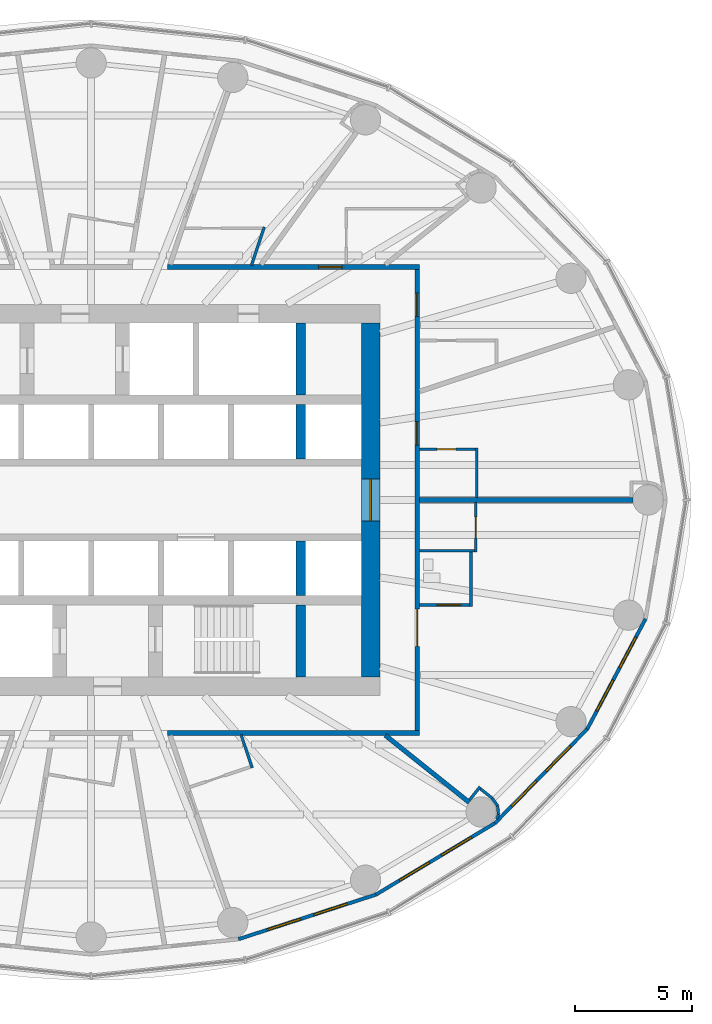
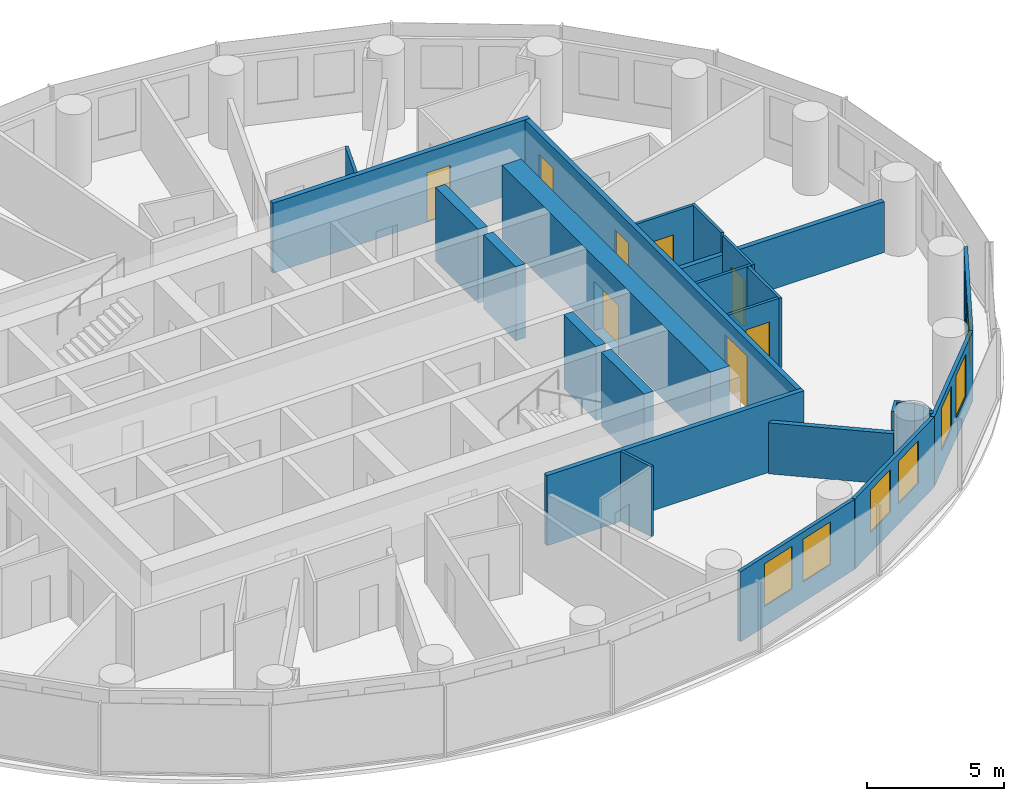
# One storey, part 9 of 13: 27 walls, 8 doors, 8 windows, 16 openings.
"""IFC4 building model written with IfcOpenShell, lengths in metres."""

from ifc_helpers import new_model, si_unit, direction, frame, frame_2d, origin, place, context, subcontext, project, spatial, rectangle, extrude, material, layer, layer_set, type_object, element, fill, save


model = new_model("IFC4")

# Units and contexts
model_context = context("Model", 3, precision=1e-05, world=origin(), true_north=direction((0.0, 1.0)))
body_context = subcontext(model_context, "Body", "Model", "MODEL_VIEW")
ifc_project = project(units=[si_unit("LENGTHUNIT", "METRE"), si_unit("AREAUNIT", "SQUARE_METRE"), si_unit("VOLUMEUNIT", "CUBIC_METRE"), si_unit("PLANEANGLEUNIT", "RADIAN"), si_unit("MASSUNIT", "GRAM", prefix="KILO")], contexts=[model_context])

# Site, building, storey
site_placement = place(None, origin())
site = spatial("IfcSite", under=ifc_project, at=site_placement, CompositionType="ELEMENT")
building_placement = place(site_placement, origin())
building = spatial("IfcBuilding", under=site, at=building_placement, Name="Hankou Lantern Tower", CompositionType="ELEMENT")
storey_placement = place(building_placement, frame((0.0, 0.0, 105.60009765625)))
storey = spatial("IfcBuildingStorey", under=building, at=storey_placement, Name="L26", CompositionType="ELEMENT", Elevation=105.60009765625)

# Wall, opening, door
ifc_material_1 = material(Name="Concrete C60", Category="concrete")
ifc_layer_1 = layer(ifc_material_1, 0.800048828125)
ifc_layer_set_1 = layer_set([ifc_layer_1], Name="Concrete C60")
wall_type_1 = type_object("IfcWallType", Name="CW2 CORE WALL 800", PredefinedType="SHEAR", material=ifc_layer_set_1)
wall_1_placement = place(storey_placement, frame((12.0, -7.60009765625, 0.0), z_axis=(0.0, 0.0, 1.0), x_axis=(0.0, 1.0, 0.0)))
wall_1 = element("IfcWall", 1, at=wall_1_placement, inside=storey, type_object=wall_type_1, Name="Core wall east L26", PredefinedType="SHEAR", context=body_context, shape_type="SweptSolid", body=[
    extrude(rectangle(XDim=15.2001953125, YDim=0.800048828125, at=frame_2d((7.60009765625, 0.0))), origin(), (0.0, 0.0, 1.0), 3.2998046875),
])
opening_1_placement = place(wall_1_placement, frame((6.699951171875, 0.0, 0.0)))
opening_1 = element("IfcOpeningElement", 2, at=opening_1_placement, cuts=wall_1, Name="Opening D6", PredefinedType="OPENING", context=body_context, shape_type="SweptSolid", body=[
    extrude(rectangle(XDim=1.800048828125, YDim=2.199951171875, at=frame_2d((0.89990234375, 1.10009765625))), frame((0.0, 0.409912109375, 0.0), z_axis=(0.0, -1.0, 0.0), x_axis=(1.0, 0.0, 0.0)), (0.0, 0.0, 1.0), 0.820068359375),
])
ifc_material_2 = material(Name="Steel door leaf", Category="steel")
door_type_1 = type_object("IfcDoorType", Name="D6 LIFT LOBBY DOOR 1800X2200", OperationType="DOUBLE_DOOR_DOUBLE_SWING", PredefinedType="DOOR", material=ifc_material_2)
door_1_placement = place(opening_1_placement, origin())
door_1 = element("IfcDoor", 3, at=door_1_placement, inside=storey, type_object=door_type_1, Name="Lift lobby east door", OperationType="DOUBLE_DOOR_DOUBLE_SWING", OverallHeight=2.199951171875, OverallWidth=1.800048828125, PredefinedType="DOOR", context=body_context, shape_type="SweptSolid", body=[
    extrude(rectangle(XDim=1.800048828125, YDim=2.199951171875, at=frame_2d((0.89990234375, 1.10009765625))), frame((0.0, 0.02490234375, 0.0), z_axis=(0.0, -1.0, 0.0), x_axis=(1.0, 0.0, 0.0)), (0.0, 0.0, 1.0), 0.050048828125),
])
fill(opening_1, door_1)

# Walls
ifc_material_3 = material(Name="Concrete C60", Category="concrete")
ifc_layer_2 = layer(ifc_material_3, 0.39990234375)
ifc_layer_set_2 = layer_set([ifc_layer_2], Name="Concrete C60")
wall_type_2 = type_object("IfcWallType", Name="CW4 CORE CROSS WALL 400", PredefinedType="SHEAR", material=ifc_layer_set_2)
wall_2_placement = place(storey_placement, frame((9.0, 4.5, 0.0), z_axis=(0.0, 0.0, 1.0), x_axis=(0.0, 1.0, 0.0)))
element("IfcWall", 4, at=wall_2_placement, inside=storey, type_object=wall_type_2, Name="Core strip wall L26", PredefinedType="SHEAR", context=body_context, shape_type="SweptSolid", body=[
    extrude(rectangle(XDim=3.10009765625, YDim=0.39990234375, at=frame_2d((1.550048828125, 0.0))), origin(), (0.0, 0.0, 1.0), 3.2998046875),
])
for number, where, z_axis, x_axis, name in (
    (5, (9.0, 1.75, 0.0), (0.0, 0.0, 1.0), (0.0, 1.0, 0.0), "Core strip wall L26"),
    (6, (9.0, -4.10009765625, 0.0), (0.0, 0.0, 1.0), (0.0, 1.0, 0.0), "Core strip wall L26"),
):
    element("IfcWall", number, at=place(storey_placement, frame(where, z_axis=z_axis, x_axis=x_axis)), inside=storey, type_object=wall_type_2, Name=name, PredefinedType="SHEAR", context=body_context, shape_type="SweptSolid", body=[
        extrude(rectangle(XDim=2.35009765625, YDim=0.39990234375, at=frame_2d((1.175048828125, 0.0))), origin(), (0.0, 0.0, 1.0), 3.2998046875),
    ])
wall_3_placement = place(storey_placement, frame((9.0, -7.60009765625, 0.0), z_axis=(0.0, 0.0, 1.0), x_axis=(0.0, 1.0, 0.0)))
element("IfcWall", 7, at=wall_3_placement, inside=storey, type_object=wall_type_2, Name="Core strip wall L26", PredefinedType="SHEAR", context=body_context, shape_type="SweptSolid", body=[
    extrude(rectangle(XDim=3.10009765625, YDim=0.39990234375, at=frame_2d((1.550048828125, 0.0))), origin(), (0.0, 0.0, 1.0), 3.2998046875),
])

# Wall, openings, windows
ifc_material_4 = material(Name="Aluminium spandrel panel on steel studs", Category="steel")
ifc_layer_3 = layer(ifc_material_4, 0.14990234375)
ifc_layer_set_3 = layer_set([ifc_layer_3], Name="Aluminium spandrel panel on steel studs")
wall_type_3 = type_object("IfcWallType", Name="EW1 INNER SKIN WALL 150", PredefinedType="ELEMENTEDWALL", material=ifc_layer_set_3)
wall_4_placement = place(storey_placement, frame((6.3134765625, -18.849609375, 0.0), z_axis=(0.0, 0.0, 1.0), x_axis=(0.951272691506, 0.308350881944, 0.0)))
wall_4 = element("IfcWall", 8, at=wall_4_placement, inside=storey, type_object=wall_type_3, Name="Inner skin R20-R21 L26", PredefinedType="ELEMENTEDWALL", context=body_context, shape_type="SweptSolid", body=[
    extrude(rectangle(XDim=6.210693359375, YDim=0.14990234375, at=frame_2d((3.10546875, 0.0))), origin(), (0.0, 0.0, 1.0), 3.119873046875),
])
opening_2_placement = place(wall_4_placement, frame((1.305419921875, 0.0, 0.89990234375)))
opening_2 = element("IfcOpeningElement", 9, at=opening_2_placement, cuts=wall_4, Name="Opening W2", PredefinedType="OPENING", context=body_context, shape_type="SweptSolid", body=[
    extrude(rectangle(XDim=1.5, YDim=1.89990234375, at=frame_2d((0.75, 0.949951171875))), frame((0.0, 0.0849609375, 0.0), z_axis=(0.0, -1.0, 0.0), x_axis=(1.0, 0.0, 0.0)), (0.0, 0.0, 1.0), 0.169921875),
])
opening_3_placement = place(wall_4_placement, frame((3.4052734375, 0.0, 0.89990234375)))
opening_3 = element("IfcOpeningElement", 10, at=opening_3_placement, cuts=wall_4, Name="Opening W2", PredefinedType="OPENING", context=body_context, shape_type="SweptSolid", body=[
    extrude(rectangle(XDim=1.5, YDim=1.89990234375, at=frame_2d((0.75, 0.949951171875))), frame((0.0, 0.0849609375, 0.0), z_axis=(0.0, -1.0, 0.0), x_axis=(1.0, 0.0, 0.0)), (0.0, 0.0, 1.0), 0.169921875),
])
ifc_material_5 = material(Name="Aluminium framed double glazed window", Category="aluminium")
window_type = type_object("IfcWindowType", Name="W2 GUEST ROOM WINDOW 1500X1900", PartitioningType="DOUBLE_PANEL_VERTICAL", PredefinedType="WINDOW", material=ifc_material_5)
window_1_placement = place(opening_2_placement, origin())
window_1 = element("IfcWindow", 11, at=window_1_placement, inside=storey, type_object=window_type, Name="Window R20.1 L26", OverallHeight=1.89990234375, OverallWidth=1.5, PartitioningType="SINGLE_PANEL", PredefinedType="WINDOW", context=body_context, shape_type="SweptSolid", body=[
    extrude(rectangle(XDim=1.5, YDim=1.89990234375, at=frame_2d((0.75, 0.949951171875))), frame((0.0, 0.030029296875, 0.0), z_axis=(0.0, -1.0, 0.0), x_axis=(1.0, 0.0, 0.0)), (0.0, 0.0, 1.0), 0.06005859375),
])
fill(opening_2, window_1)
window_2_placement = place(opening_3_placement, origin())
window_2 = element("IfcWindow", 12, at=window_2_placement, inside=storey, type_object=window_type, Name="Window R20.2 L26", OverallHeight=1.89990234375, OverallWidth=1.5, PartitioningType="SINGLE_PANEL", PredefinedType="WINDOW", context=body_context, shape_type="SweptSolid", body=[
    extrude(rectangle(XDim=1.5, YDim=1.89990234375, at=frame_2d((0.75, 0.949951171875))), frame((0.0, 0.030029296875, 0.0), z_axis=(0.0, -1.0, 0.0), x_axis=(1.0, 0.0, 0.0)), (0.0, 0.0, 1.0), 0.06005859375),
])
fill(opening_3, window_2)

wall_5_placement = place(storey_placement, frame((12.221435546875, -16.9345703125, 0.0), z_axis=(0.0, 0.0, 1.0), x_axis=(0.857308573723, 0.514802884044, 0.0)))
wall_5 = element("IfcWall", 13, at=wall_5_placement, inside=storey, type_object=wall_type_3, Name="Inner skin R21-R22 L26", PredefinedType="ELEMENTEDWALL", context=body_context, shape_type="SweptSolid", body=[
    extrude(rectangle(XDim=5.961181640625, YDim=0.14990234375, at=frame_2d((2.98046875, 0.0))), origin(), (0.0, 0.0, 1.0), 3.119873046875),
])
opening_4_placement = place(wall_5_placement, frame((1.1806640625, 0.0, 0.89990234375)))
opening_4 = element("IfcOpeningElement", 14, at=opening_4_placement, cuts=wall_5, Name="Opening W2", PredefinedType="OPENING", context=body_context, shape_type="SweptSolid", body=[
    extrude(rectangle(XDim=1.5, YDim=1.89990234375, at=frame_2d((0.75, 0.949951171875))), frame((0.0, 0.0849609375, 0.0), z_axis=(0.0, -1.0, 0.0), x_axis=(1.0, 0.0, 0.0)), (0.0, 0.0, 1.0), 0.169921875),
])
opening_5_placement = place(wall_5_placement, frame((3.280517578125, 0.0, 0.89990234375)))
opening_5 = element("IfcOpeningElement", 15, at=opening_5_placement, cuts=wall_5, Name="Opening W2", PredefinedType="OPENING", context=body_context, shape_type="SweptSolid", body=[
    extrude(rectangle(XDim=1.5, YDim=1.89990234375, at=frame_2d((0.75, 0.949951171875))), frame((0.0, 0.0849609375, 0.0), z_axis=(0.0, -1.0, 0.0), x_axis=(1.0, 0.0, 0.0)), (0.0, 0.0, 1.0), 0.169921875),
])
window_3_placement = place(opening_4_placement, origin())
window_3 = element("IfcWindow", 16, at=window_3_placement, inside=storey, type_object=window_type, Name="Window R21.1 L26", OverallHeight=1.89990234375, OverallWidth=1.5, PartitioningType="SINGLE_PANEL", PredefinedType="WINDOW", context=body_context, shape_type="SweptSolid", body=[
    extrude(rectangle(XDim=1.5, YDim=1.89990234375, at=frame_2d((0.75, 0.949951171875))), frame((0.0, 0.030029296875, 0.0), z_axis=(0.0, -1.0, 0.0), x_axis=(1.0, 0.0, 0.0)), (0.0, 0.0, 1.0), 0.06005859375),
])
fill(opening_4, window_3)
window_4_placement = place(opening_5_placement, origin())
window_4 = element("IfcWindow", 17, at=window_4_placement, inside=storey, type_object=window_type, Name="Window R21.2 L26", OverallHeight=1.89990234375, OverallWidth=1.5, PartitioningType="SINGLE_PANEL", PredefinedType="WINDOW", context=body_context, shape_type="SweptSolid", body=[
    extrude(rectangle(XDim=1.5, YDim=1.89990234375, at=frame_2d((0.75, 0.949951171875))), frame((0.0, 0.030029296875, 0.0), z_axis=(0.0, -1.0, 0.0), x_axis=(1.0, 0.0, 0.0)), (0.0, 0.0, 1.0), 0.06005859375),
])
fill(opening_5, window_4)

wall_6_placement = place(storey_placement, frame((17.33203125, -13.86572265625, 0.0), z_axis=(0.0, 0.0, 1.0), x_axis=(0.700136650834, 0.714008872605, 0.0)))
wall_6 = element("IfcWall", 18, at=wall_6_placement, inside=storey, type_object=wall_type_3, Name="Inner skin R22-R23 L26", PredefinedType="ELEMENTEDWALL", context=body_context, shape_type="SweptSolid", body=[
    extrude(rectangle(XDim=5.6494140625, YDim=0.14990234375, at=frame_2d((2.82470703125, 0.0))), origin(), (0.0, 0.0, 1.0), 3.119873046875),
])
opening_6_placement = place(wall_6_placement, frame((1.024658203125, 0.0, 0.89990234375)))
opening_6 = element("IfcOpeningElement", 19, at=opening_6_placement, cuts=wall_6, Name="Opening W2", PredefinedType="OPENING", context=body_context, shape_type="SweptSolid", body=[
    extrude(rectangle(XDim=1.5, YDim=1.89990234375, at=frame_2d((0.75, 0.949951171875))), frame((0.0, 0.0849609375, 0.0), z_axis=(0.0, -1.0, 0.0), x_axis=(1.0, 0.0, 0.0)), (0.0, 0.0, 1.0), 0.169921875),
])
opening_7_placement = place(wall_6_placement, frame((3.12451171875, 0.0, 0.89990234375)))
opening_7 = element("IfcOpeningElement", 20, at=opening_7_placement, cuts=wall_6, Name="Opening W2", PredefinedType="OPENING", context=body_context, shape_type="SweptSolid", body=[
    extrude(rectangle(XDim=1.5, YDim=1.89990234375, at=frame_2d((0.75, 0.949951171875))), frame((0.0, 0.0849609375, 0.0), z_axis=(0.0, -1.0, 0.0), x_axis=(1.0, 0.0, 0.0)), (0.0, 0.0, 1.0), 0.169921875),
])
window_5_placement = place(opening_6_placement, origin())
window_5 = element("IfcWindow", 21, at=window_5_placement, inside=storey, type_object=window_type, Name="Window R22.1 L26", OverallHeight=1.89990234375, OverallWidth=1.5, PartitioningType="SINGLE_PANEL", PredefinedType="WINDOW", context=body_context, shape_type="SweptSolid", body=[
    extrude(rectangle(XDim=1.5, YDim=1.89990234375, at=frame_2d((0.75, 0.949951171875))), frame((0.0, 0.030029296875, 0.0), z_axis=(0.0, -1.0, 0.0), x_axis=(1.0, 0.0, 0.0)), (0.0, 0.0, 1.0), 0.06005859375),
])
fill(opening_6, window_5)
window_6_placement = place(opening_7_placement, origin())
window_6 = element("IfcWindow", 22, at=window_6_placement, inside=storey, type_object=window_type, Name="Window R22.2 L26", OverallHeight=1.89990234375, OverallWidth=1.5, PartitioningType="SINGLE_PANEL", PredefinedType="WINDOW", context=body_context, shape_type="SweptSolid", body=[
    extrude(rectangle(XDim=1.5, YDim=1.89990234375, at=frame_2d((0.75, 0.949951171875))), frame((0.0, 0.030029296875, 0.0), z_axis=(0.0, -1.0, 0.0), x_axis=(1.0, 0.0, 0.0)), (0.0, 0.0, 1.0), 0.06005859375),
])
fill(opening_7, window_6)

wall_7_placement = place(storey_placement, frame((21.287353515625, -9.83203125, 0.0), z_axis=(0.0, 0.0, 1.0), x_axis=(0.467814388454, 0.883826735257, 0.0)))
wall_7 = element("IfcWall", 23, at=wall_7_placement, inside=storey, type_object=wall_type_3, Name="Inner skin R23-R24 L26", PredefinedType="ELEMENTEDWALL", context=body_context, shape_type="SweptSolid", body=[
    extrude(rectangle(XDim=5.35400390625, YDim=0.14990234375, at=frame_2d((2.677001953125, 0.0))), origin(), (0.0, 0.0, 1.0), 3.119873046875),
])
opening_8_placement = place(wall_7_placement, frame((0.876953125, 0.0, 0.89990234375)))
opening_8 = element("IfcOpeningElement", 24, at=opening_8_placement, cuts=wall_7, Name="Opening W2", PredefinedType="OPENING", context=body_context, shape_type="SweptSolid", body=[
    extrude(rectangle(XDim=1.5, YDim=1.89990234375, at=frame_2d((0.75, 0.949951171875))), frame((0.0, 0.0849609375, 0.0), z_axis=(0.0, -1.0, 0.0), x_axis=(1.0, 0.0, 0.0)), (0.0, 0.0, 1.0), 0.169921875),
])
opening_9_placement = place(wall_7_placement, frame((2.97705078125, 0.0, 0.89990234375)))
opening_9 = element("IfcOpeningElement", 25, at=opening_9_placement, cuts=wall_7, Name="Opening W2", PredefinedType="OPENING", context=body_context, shape_type="SweptSolid", body=[
    extrude(rectangle(XDim=1.5, YDim=1.89990234375, at=frame_2d((0.75, 0.949951171875))), frame((0.0, 0.0849609375, 0.0), z_axis=(0.0, -1.0, 0.0), x_axis=(1.0, 0.0, 0.0)), (0.0, 0.0, 1.0), 0.169921875),
])
window_7_placement = place(opening_8_placement, origin())
window_7 = element("IfcWindow", 26, at=window_7_placement, inside=storey, type_object=window_type, Name="Window R23.1 L26", OverallHeight=1.89990234375, OverallWidth=1.5, PartitioningType="SINGLE_PANEL", PredefinedType="WINDOW", context=body_context, shape_type="SweptSolid", body=[
    extrude(rectangle(XDim=1.5, YDim=1.89990234375, at=frame_2d((0.75, 0.949951171875))), frame((0.0, 0.030029296875, 0.0), z_axis=(0.0, -1.0, 0.0), x_axis=(1.0, 0.0, 0.0)), (0.0, 0.0, 1.0), 0.06005859375),
])
fill(opening_8, window_7)
window_8_placement = place(opening_9_placement, origin())
window_8 = element("IfcWindow", 27, at=window_8_placement, inside=storey, type_object=window_type, Name="Window R23.2 L26", OverallHeight=1.89990234375, OverallWidth=1.5, PartitioningType="SINGLE_PANEL", PredefinedType="WINDOW", context=body_context, shape_type="SweptSolid", body=[
    extrude(rectangle(XDim=1.5, YDim=1.89990234375, at=frame_2d((0.75, 0.949951171875))), frame((0.0, 0.030029296875, 0.0), z_axis=(0.0, -1.0, 0.0), x_axis=(1.0, 0.0, 0.0)), (0.0, 0.0, 1.0), 0.06005859375),
])
fill(opening_9, window_8)

# Wall, openings, doors
ifc_material_6 = material(Name="Masonry lightweight concrete block", Category="masonry")
ifc_layer_4 = layer(ifc_material_6, 0.199951171875)
ifc_layer_set_4 = layer_set([ifc_layer_4], Name="Masonry lightweight concrete block")
wall_type_4 = type_object("IfcWallType", Name="IW2 CORRIDOR WALL 200", PredefinedType="PARTITIONING", material=ifc_layer_set_4)
wall_8_placement = place(storey_placement, frame((14.0, -9.89990234375, 0.0), z_axis=(0.0, 0.0, 1.0), x_axis=(0.0, 1.0, 0.0)))
wall_8 = element("IfcWall", 28, at=wall_8_placement, inside=storey, type_object=wall_type_4, Name="Corridor wall east", PredefinedType="PARTITIONING", context=body_context, shape_type="SweptSolid", body=[
    extrude(rectangle(XDim=19.7998046875, YDim=0.199951171875, at=frame_2d((9.89990234375, 0.0))), origin(), (0.0, 0.0, 1.0), 3.119873046875),
])
opening_10_placement = place(wall_8_placement, frame((3.6201171875, 0.0, 0.0)))
opening_10 = element("IfcOpeningElement", 29, at=opening_10_placement, cuts=wall_8, Name="Opening D29", PredefinedType="OPENING", context=body_context, shape_type="SweptSolid", body=[
    extrude(rectangle(XDim=1.60009765625, YDim=2.39990234375, at=frame_2d((0.800048828125, 1.199951171875))), frame((0.0, 0.10986328125, 0.0), z_axis=(0.0, -1.0, 0.0), x_axis=(1.0, 0.0, 0.0)), (0.0, 0.0, 1.0), 0.219970703125),
])
opening_11_placement = place(wall_8_placement, frame((12.260009765625, 0.0, 0.0)))
opening_11 = element("IfcOpeningElement", 30, at=opening_11_placement, cuts=wall_8, Name="Opening D1", PredefinedType="OPENING", context=body_context, shape_type="SweptSolid", body=[
    extrude(rectangle(XDim=1.0, YDim=2.199951171875, at=frame_2d((0.5, 1.10009765625))), frame((0.0, 0.10986328125, 0.0), z_axis=(0.0, -1.0, 0.0), x_axis=(1.0, 0.0, 0.0)), (0.0, 0.0, 1.0), 0.219970703125),
])
opening_12_placement = place(wall_8_placement, frame((17.77734375, 0.0, 0.0)))
opening_12 = element("IfcOpeningElement", 31, at=opening_12_placement, cuts=wall_8, Name="Opening D1", PredefinedType="OPENING", context=body_context, shape_type="SweptSolid", body=[
    extrude(rectangle(XDim=1.0, YDim=2.199951171875, at=frame_2d((0.5, 1.10009765625))), frame((0.0, 0.10986328125, 0.0), z_axis=(0.0, -1.0, 0.0), x_axis=(1.0, 0.0, 0.0)), (0.0, 0.0, 1.0), 0.219970703125),
])
ifc_material_7 = material(Name="Steel door leaf", Category="steel")
door_type_2 = type_object("IfcDoorType", Name="D1 GUEST ROOM DOOR 1000X2200", OperationType="SINGLE_SWING_LEFT", PredefinedType="DOOR", material=ifc_material_7)
door_2_placement = place(opening_11_placement, origin())
door_2 = element("IfcDoor", 32, at=door_2_placement, inside=storey, type_object=door_type_2, Name="Guest room door 2616", OperationType="SINGLE_SWING_RIGHT", OverallHeight=2.199951171875, OverallWidth=1.0, PredefinedType="DOOR", context=body_context, shape_type="SweptSolid", body=[
    extrude(rectangle(XDim=1.0, YDim=2.199951171875, at=frame_2d((0.5, 1.10009765625))), frame((0.0, 0.02490234375, 0.0), z_axis=(0.0, -1.0, 0.0), x_axis=(1.0, 0.0, 0.0)), (0.0, 0.0, 1.0), 0.050048828125),
])
fill(opening_11, door_2)
door_3_placement = place(opening_12_placement, origin())
door_3 = element("IfcDoor", 33, at=door_3_placement, inside=storey, type_object=door_type_2, Name="Guest room door 2617", OperationType="SINGLE_SWING_RIGHT", OverallHeight=2.199951171875, OverallWidth=1.0, PredefinedType="DOOR", context=body_context, shape_type="SweptSolid", body=[
    extrude(rectangle(XDim=1.0, YDim=2.199951171875, at=frame_2d((0.5, 1.10009765625))), frame((0.0, 0.02490234375, 0.0), z_axis=(0.0, -1.0, 0.0), x_axis=(1.0, 0.0, 0.0)), (0.0, 0.0, 1.0), 0.050048828125),
])
fill(opening_12, door_3)
ifc_material_8 = material(Name="Steel door leaf", Category="steel")
door_type_3 = type_object("IfcDoorType", Name="D29 LOUNGE DOUBLE DOOR 1600X2400", OperationType="DOUBLE_DOOR_DOUBLE_SWING", PredefinedType="DOOR", material=ifc_material_8)
door_4_placement = place(opening_10_placement, origin())
door_4 = element("IfcDoor", 34, at=door_4_placement, inside=storey, type_object=door_type_3, Name="Lounge door 2615", OperationType="DOUBLE_DOOR_DOUBLE_SWING", OverallHeight=2.39990234375, OverallWidth=1.60009765625, PredefinedType="DOOR", context=body_context, shape_type="SweptSolid", body=[
    extrude(rectangle(XDim=1.60009765625, YDim=2.39990234375, at=frame_2d((0.800048828125, 1.199951171875))), frame((0.0, 0.02490234375, 0.0), z_axis=(0.0, -1.0, 0.0), x_axis=(1.0, 0.0, 0.0)), (0.0, 0.0, 1.0), 0.050048828125),
])
fill(opening_10, door_4)

# Wall
wall_9_placement = place(storey_placement, frame((14.10009765625, -10.0, 0.0), z_axis=(0.0, 0.0, 1.0), x_axis=(-1.0, 0.0, 0.0)))
element("IfcWall", 35, at=wall_9_placement, inside=storey, type_object=wall_type_4, Name="Corridor wall south", PredefinedType="PARTITIONING", context=body_context, shape_type="SweptSolid", body=[
    extrude(rectangle(XDim=10.817138671875, YDim=0.199951171875, at=frame_2d((5.40869140625, 0.0))), origin(), (0.0, 0.0, 1.0), 3.119873046875),
])

# Wall, opening, door
wall_10_placement = place(storey_placement, frame((3.282958984375, 10.0, 0.0), z_axis=(0.0, 0.0, 1.0), x_axis=(1.0, 0.0, 0.0)))
wall_10 = element("IfcWall", 36, at=wall_10_placement, inside=storey, type_object=wall_type_4, Name="Corridor wall north", PredefinedType="PARTITIONING", context=body_context, shape_type="SweptSolid", body=[
    extrude(rectangle(XDim=10.817138671875, YDim=0.199951171875, at=frame_2d((5.40869140625, 0.0))), origin(), (0.0, 0.0, 1.0), 3.119873046875),
])
opening_13_placement = place(wall_10_placement, frame((6.482177734375, 0.0, 0.0)))
opening_13 = element("IfcOpeningElement", 37, at=opening_13_placement, cuts=wall_10, Name="Opening D1", PredefinedType="OPENING", context=body_context, shape_type="SweptSolid", body=[
    extrude(rectangle(XDim=1.0, YDim=2.199951171875, at=frame_2d((0.5, 1.10009765625))), frame((0.0, 0.10986328125, 0.0), z_axis=(0.0, -1.0, 0.0), x_axis=(1.0, 0.0, 0.0)), (0.0, 0.0, 1.0), 0.219970703125),
])
door_5_placement = place(opening_13_placement, origin())
door_5 = element("IfcDoor", 38, at=door_5_placement, inside=storey, type_object=door_type_2, Name="Guest room door 2618", OperationType="SINGLE_SWING_RIGHT", OverallHeight=2.199951171875, OverallWidth=1.0, PredefinedType="DOOR", context=body_context, shape_type="SweptSolid", body=[
    extrude(rectangle(XDim=1.0, YDim=2.199951171875, at=frame_2d((0.5, 1.10009765625))), frame((0.0, 0.02490234375, 0.0), z_axis=(0.0, -1.0, 0.0), x_axis=(1.0, 0.0, 0.0)), (0.0, 0.0, 1.0), 0.050048828125),
])
fill(opening_13, door_5)

# Wall
ifc_material_9 = material(Name="Masonry lightweight concrete block", Category="masonry")
ifc_layer_5 = layer(ifc_material_9, 0.1201171875)
ifc_layer_set_5 = layer_set([ifc_layer_5], Name="Masonry lightweight concrete block")
wall_type_5 = type_object("IfcWallType", Name="IW3 BATHROOM WALL 120", PredefinedType="PARTITIONING", material=ifc_layer_set_5)
wall_11_placement = place(storey_placement, frame((6.4306640625, -10.068359375, 0.0), z_axis=(0.0, 0.0, 1.0), x_axis=(0.317592729703, -0.948227218571, 0.0)))
element("IfcWall", 39, at=wall_11_placement, inside=storey, type_object=wall_type_5, Name="Box wall 2614 1", PredefinedType="PARTITIONING", context=body_context, shape_type="SweptSolid", body=[
    extrude(rectangle(XDim=1.502197265625, YDim=0.1201171875, at=frame_2d((0.7509765625, 0.0))), origin(), (0.0, 0.0, 1.0), 3.119873046875),
])

# Wall, opening, door
wall_12_placement = place(storey_placement, frame((16.5, -0.10009765625, 0.0), z_axis=(0.0, 0.0, 1.0), x_axis=(0.0, -1.0, 0.0)))
wall_12 = element("IfcWall", 40, at=wall_12_placement, inside=storey, type_object=wall_type_5, Name="Box wall 2615 1", PredefinedType="PARTITIONING", context=body_context, shape_type="SweptSolid", body=[
    extrude(rectangle(XDim=2.139892578125, YDim=0.1201171875, at=frame_2d((1.06982421875, 0.0))), origin(), (0.0, 0.0, 1.0), 3.119873046875),
])
opening_14_placement = place(wall_12_placement, frame((0.6201171875, 0.0, 0.0)))
opening_14 = element("IfcOpeningElement", 41, at=opening_14_placement, cuts=wall_12, Name="Opening D27", PredefinedType="OPENING", context=body_context, shape_type="SweptSolid", body=[
    extrude(rectangle(XDim=0.89990234375, YDim=2.10009765625, at=frame_2d((0.449951171875, 1.050048828125))), frame((0.0, 0.070068359375, 0.0), z_axis=(0.0, -1.0, 0.0), x_axis=(1.0, 0.0, 0.0)), (0.0, 0.0, 1.0), 0.14013671875),
])
ifc_material_10 = material(Name="Timber door leaf", Category="wood")
door_type_4 = type_object("IfcDoorType", Name="D27 INTERNAL DOOR 900X2100", OperationType="SINGLE_SWING_LEFT", PredefinedType="DOOR", material=ifc_material_10)
door_6_placement = place(opening_14_placement, origin())
door_6 = element("IfcDoor", 42, at=door_6_placement, inside=storey, type_object=door_type_4, Name="Executive club pantry 2615 door", OperationType="SINGLE_SWING_LEFT", OverallHeight=2.10009765625, OverallWidth=0.89990234375, PredefinedType="DOOR", context=body_context, shape_type="SweptSolid", body=[
    extrude(rectangle(XDim=0.89990234375, YDim=2.10009765625, at=frame_2d((0.449951171875, 1.050048828125))), frame((0.0, 0.02490234375, 0.0), z_axis=(0.0, -1.0, 0.0), x_axis=(1.0, 0.0, 0.0)), (0.0, 0.0, 1.0), 0.050048828125),
])
fill(opening_14, door_6)

# Walls
wall_13_placement = place(storey_placement, frame((14.10009765625, -2.179931640625, 0.0), z_axis=(0.0, 0.0, 1.0), x_axis=(1.0, 0.0, 0.0)))
element("IfcWall", 43, at=wall_13_placement, inside=storey, type_object=wall_type_5, Name="Box wall 2615 1", PredefinedType="PARTITIONING", context=body_context, shape_type="SweptSolid", body=[
    extrude(rectangle(XDim=2.33984375, YDim=0.1201171875, at=frame_2d((1.169921875, 0.0))), origin(), (0.0, 0.0, 1.0), 3.119873046875),
])
wall_14_placement = place(storey_placement, frame((16.300048828125, -2.239990234375, 0.0), z_axis=(0.0, 0.0, 1.0), x_axis=(0.0, -1.0, 0.0)))
element("IfcWall", 44, at=wall_14_placement, inside=storey, type_object=wall_type_5, Name="Box wall 2615 2", PredefinedType="PARTITIONING", context=body_context, shape_type="SweptSolid", body=[
    extrude(rectangle(XDim=2.320068359375, YDim=0.1201171875, at=frame_2d((1.16015625, 0.0))), origin(), (0.0, 0.0, 1.0), 3.119873046875),
])

# Wall, opening, door
wall_15_placement = place(storey_placement, frame((14.10009765625, -4.5, 0.0), z_axis=(0.0, 0.0, 1.0), x_axis=(1.0, 0.0, 0.0)))
wall_15 = element("IfcWall", 45, at=wall_15_placement, inside=storey, type_object=wall_type_5, Name="Box wall 2615 2", PredefinedType="PARTITIONING", context=body_context, shape_type="SweptSolid", body=[
    extrude(rectangle(XDim=2.139892578125, YDim=0.1201171875, at=frame_2d((1.06982421875, 0.0))), origin(), (0.0, 0.0, 1.0), 3.119873046875),
])
opening_15_placement = place(wall_15_placement, frame((0.75, 0.0, 0.0)))
opening_15 = element("IfcOpeningElement", 46, at=opening_15_placement, cuts=wall_15, Name="Opening D11", PredefinedType="OPENING", context=body_context, shape_type="SweptSolid", body=[
    extrude(rectangle(XDim=1.0, YDim=2.199951171875, at=frame_2d((0.5, 1.10009765625))), frame((0.0, 0.070068359375, 0.0), z_axis=(0.0, -1.0, 0.0), x_axis=(1.0, 0.0, 0.0)), (0.0, 0.0, 1.0), 0.14013671875),
])
ifc_material_11 = material(Name="Timber door leaf", Category="wood")
door_type_5 = type_object("IfcDoorType", Name="D11 ACCESSIBLE WC DOOR 1000X2200", OperationType="SLIDING_TO_LEFT", PredefinedType="DOOR", material=ifc_material_11)
door_7_placement = place(opening_15_placement, origin())
door_7 = element("IfcDoor", 47, at=door_7_placement, inside=storey, type_object=door_type_5, Name="Accessible WC 2615 door", OperationType="SLIDING_TO_LEFT", OverallHeight=2.199951171875, OverallWidth=1.0, PredefinedType="DOOR", context=body_context, shape_type="SweptSolid", body=[
    extrude(rectangle(XDim=1.0, YDim=2.199951171875, at=frame_2d((0.5, 1.10009765625))), frame((0.0, 0.02490234375, 0.0), z_axis=(0.0, -1.0, 0.0), x_axis=(1.0, 0.0, 0.0)), (0.0, 0.0, 1.0), 0.050048828125),
])
fill(opening_15, door_7)

# Wall
wall_16_placement = place(storey_placement, frame((16.550048828125, 0.10009765625, 0.0), z_axis=(0.0, 0.0, 1.0), x_axis=(0.0, 1.0, 0.0)))
element("IfcWall", 48, at=wall_16_placement, inside=storey, type_object=wall_type_5, Name="Box wall 2616 1", PredefinedType="PARTITIONING", context=body_context, shape_type="SweptSolid", body=[
    extrude(rectangle(XDim=2.139892578125, YDim=0.1201171875, at=frame_2d((1.06982421875, 0.0))), origin(), (0.0, 0.0, 1.0), 3.119873046875),
])

# Wall, opening, door
wall_17_placement = place(storey_placement, frame((14.10009765625, 2.179931640625, 0.0), z_axis=(0.0, 0.0, 1.0), x_axis=(1.0, 0.0, 0.0)))
wall_17 = element("IfcWall", 49, at=wall_17_placement, inside=storey, type_object=wall_type_5, Name="Box wall 2616 1", PredefinedType="PARTITIONING", context=body_context, shape_type="SweptSolid", body=[
    extrude(rectangle(XDim=2.389892578125, YDim=0.1201171875, at=frame_2d((1.19482421875, 0.0))), origin(), (0.0, 0.0, 1.0), 3.119873046875),
])
opening_16_placement = place(wall_17_placement, frame((0.75, 0.0, 0.0)))
opening_16 = element("IfcOpeningElement", 50, at=opening_16_placement, cuts=wall_17, Name="Opening D3", PredefinedType="OPENING", context=body_context, shape_type="SweptSolid", body=[
    extrude(rectangle(XDim=0.800048828125, YDim=2.10009765625, at=frame_2d((0.39990234375, 1.050048828125))), frame((0.0, 0.070068359375, 0.0), z_axis=(0.0, -1.0, 0.0), x_axis=(1.0, 0.0, 0.0)), (0.0, 0.0, 1.0), 0.14013671875),
])
ifc_material_12 = material(Name="Timber door leaf", Category="wood")
door_type_6 = type_object("IfcDoorType", Name="D3 BATHROOM DOOR 800X2100", OperationType="SINGLE_SWING_LEFT", PredefinedType="DOOR", material=ifc_material_12)
door_8_placement = place(opening_16_placement, origin())
door_8 = element("IfcDoor", 51, at=door_8_placement, inside=storey, type_object=door_type_6, Name="En-suite bathroom 2616 door", OperationType="SINGLE_SWING_LEFT", OverallHeight=2.10009765625, OverallWidth=0.800048828125, PredefinedType="DOOR", context=body_context, shape_type="SweptSolid", body=[
    extrude(rectangle(XDim=0.800048828125, YDim=2.10009765625, at=frame_2d((0.39990234375, 1.050048828125))), frame((0.0, 0.02490234375, 0.0), z_axis=(0.0, -1.0, 0.0), x_axis=(1.0, 0.0, 0.0)), (0.0, 0.0, 1.0), 0.050048828125),
])
fill(opening_16, door_8)

# Walls
wall_18_placement = place(storey_placement, frame((6.877685546875, 10.068359375, 0.0), z_axis=(0.0, 0.0, 1.0), x_axis=(0.317532394508, 0.948247424694, 0.0)))
element("IfcWall", 52, at=wall_18_placement, inside=storey, type_object=wall_type_5, Name="Box wall 2619 1", PredefinedType="PARTITIONING", context=body_context, shape_type="SweptSolid", body=[
    extrude(rectangle(XDim=1.739990234375, YDim=0.1201171875, at=frame_2d((0.8701171875, 0.0))), origin(), (0.0, 0.0, 1.0), 3.119873046875),
])
ifc_material_13 = material(Name="Masonry lightweight concrete block", Category="masonry")
ifc_layer_6 = layer(ifc_material_13, 0.1201171875)
ifc_layer_set_6 = layer_set([ifc_layer_6], Name="Masonry lightweight concrete block")
wall_type_6 = type_object("IfcWallType", Name="IW4 PARTITION 120", PredefinedType="PARTITIONING", material=ifc_layer_set_6)
wall_19_placement = place(storey_placement, frame((16.241943359375, -12.865478515625, 0.0), z_axis=(0.0, 0.0, 1.0), x_axis=(0.624861414622, 0.780735686719, 0.0)))
element("IfcWall", 53, at=wall_19_placement, inside=storey, type_object=wall_type_6, Name="Column casing R22 return", PredefinedType="PARTITIONING", context=body_context, shape_type="SweptSolid", body=[
    extrude(rectangle(XDim=0.7158203125, YDim=0.1201171875, at=frame_2d((0.35791015625, 0.0))), origin(), (0.0, 0.0, 1.0), 3.119873046875),
])
wall_20_placement = place(storey_placement, frame((16.698486328125, -12.390869140625, 0.0), z_axis=(0.0, 0.0, 1.0), x_axis=(0.780722240533, -0.624878214645, 0.0)))
element("IfcWall", 54, at=wall_20_placement, inside=storey, type_object=wall_type_6, Name="Column casing R22", PredefinedType="PARTITIONING", context=body_context, shape_type="SweptSolid", body=[
    extrude(rectangle(XDim=0.650146484375, YDim=0.1201171875, at=frame_2d((0.3251953125, 0.0))), origin(), (0.0, 0.0, 1.0), 3.119873046875),
])
wall_21_placement = place(storey_placement, frame((17.2060546875, -12.797119140625, 0.0), z_axis=(0.0, 0.0, 1.0), x_axis=(0.592986095904, -0.805212698648, 0.0)))
element("IfcWall", 55, at=wall_21_placement, inside=storey, type_object=wall_type_6, Name="Column casing R22", PredefinedType="PARTITIONING", context=body_context, shape_type="SweptSolid", body=[
    extrude(rectangle(XDim=0.39111328125, YDim=0.1201171875, at=frame_2d((0.195556640625, 0.0))), origin(), (0.0, 0.0, 1.0), 3.119873046875),
])
wall_22_placement = place(storey_placement, frame((17.43798828125, -13.112060546875, 0.0), z_axis=(0.0, 0.0, 1.0), x_axis=(0.109815164188, -0.993952025862, 0.0)))
element("IfcWall", 56, at=wall_22_placement, inside=storey, type_object=wall_type_6, Name="Column casing R22", PredefinedType="PARTITIONING", context=body_context, shape_type="SweptSolid", body=[
    extrude(rectangle(XDim=0.391357421875, YDim=0.1201171875, at=frame_2d((0.19580078125, 0.0))), origin(), (0.0, 0.0, 1.0), 3.119873046875),
])
wall_23_placement = place(storey_placement, frame((17.48095703125, -13.5009765625, 0.0), z_axis=(0.0, 0.0, 1.0), x_axis=(-0.401504188288, -0.915857186895, 0.0)))
element("IfcWall", 57, at=wall_23_placement, inside=storey, type_object=wall_type_6, Name="Column casing R22", PredefinedType="PARTITIONING", context=body_context, shape_type="SweptSolid", body=[
    extrude(rectangle(XDim=0.20556640625, YDim=0.1201171875, at=frame_2d((0.102783203125, 0.0))), origin(), (0.0, 0.0, 1.0), 3.119873046875),
])
ifc_material_14 = material(Name="Masonry lightweight concrete block", Category="masonry")
ifc_layer_7 = layer(ifc_material_14, 0.199951171875)
ifc_layer_set_7 = layer_set([ifc_layer_7], Name="Masonry lightweight concrete block")
wall_type_7 = type_object("IfcWallType", Name="IW8 PARTITION 200", PredefinedType="PARTITIONING", material=ifc_layer_set_7)
wall_24_placement = place(storey_placement, frame((14.10009765625, 0.0, 0.0), z_axis=(0.0, 0.0, 1.0), x_axis=(1.0, 0.0, 0.0)))
element("IfcWall", 58, at=wall_24_placement, inside=storey, type_object=wall_type_7, Name="Partition R01", PredefinedType="PARTITIONING", context=body_context, shape_type="SweptSolid", body=[
    extrude(rectangle(XDim=9.14990234375, YDim=0.199951171875, at=frame_2d((4.574951171875, 0.0))), origin(), (0.0, 0.0, 1.0), 2.27001953125),
])
wall_25_placement = place(storey_placement, frame((12.625, -10.10009765625, 0.0), z_axis=(0.0, 0.0, 1.0), x_axis=(0.780863644897, -0.624701503182, 0.0)))
element("IfcWall", 59, at=wall_25_placement, inside=storey, type_object=wall_type_7, Name="Partition R22", PredefinedType="PARTITIONING", context=body_context, shape_type="SweptSolid", body=[
    extrude(rectangle(XDim=4.612060546875, YDim=0.199951171875, at=frame_2d((2.30615234375, 0.0))), origin(), (0.0, 0.0, 1.0), 2.27001953125),
])

save(model, "model.ifc")
